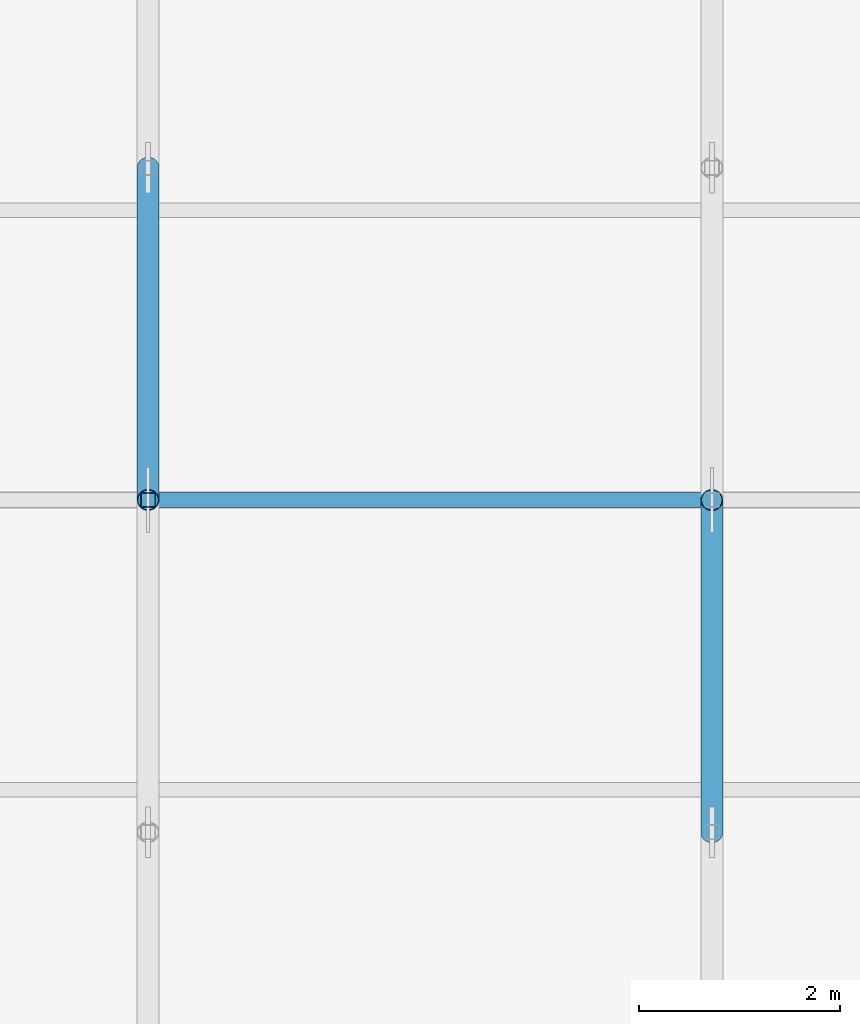
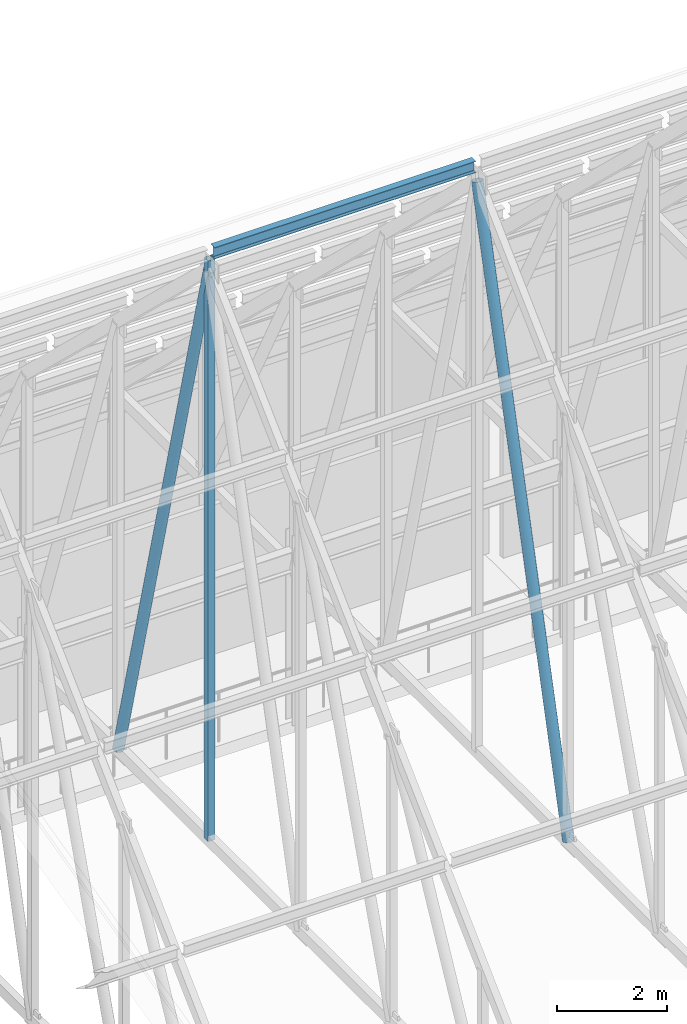
# One storey, part 34 of 144: 4 members.
"""IFC4 building model written with IfcOpenShell, lengths in metres."""

from ifc_helpers import new_model, si_unit, direction, frame, origin, origin_2d, place, context, subcontext, project, spatial, hollow_rectangle, hollow_circle, i_section, extrude, material, material_profile, profile_set, type_object, element, save


model = new_model("IFC4")

# Units and contexts
model_context = context("Model", 3, precision=1e-05, world=origin(), true_north=direction((0.0, 1.0)))
body_context = subcontext(model_context, "Body", "Model", "MODEL_VIEW")
ifc_project = project(units=[si_unit("LENGTHUNIT", "METRE"), si_unit("AREAUNIT", "SQUARE_METRE"), si_unit("VOLUMEUNIT", "CUBIC_METRE"), si_unit("PLANEANGLEUNIT", "RADIAN"), si_unit("MASSUNIT", "GRAM", prefix="KILO")], contexts=[model_context])

# Site, building, storey
site_placement = place(None, origin())
site = spatial("IfcSite", under=ifc_project, at=site_placement, CompositionType="ELEMENT")
building_placement = place(site_placement, origin())
building = spatial("IfcBuilding", under=site, at=building_placement, Name="Trelmorton Wharf Fire Station", CompositionType="ELEMENT")
storey_placement = place(building_placement, frame((0.0, 0.0, 5.39990234375)))
storey = spatial("IfcBuildingStorey", under=building, at=storey_placement, Name="L01", CompositionType="ELEMENT", Elevation=5.39990234375)

# Members
ifc_material_1 = material(Name="Steel Grade 300 (300 MPa)", Category="steel")
ifc_material_profile_1 = material_profile(ifc_material_1, i_section(OverallWidth=0.14599609375, OverallDepth=0.256103515625, WebThickness=0.00634765625, FlangeThickness=0.010986328125, FilletRadius=0.0087890625, at=origin_2d()), Name="250UB37.3")
ifc_profile_set_1 = profile_set([ifc_material_profile_1], Name="Steel Grade 300 (300 MPa)")
member_type_1 = type_object("IfcMemberType", Name="PR_250UB37", PredefinedType="PURLIN", material=ifc_profile_set_1)
member_1_placement = place(storey_placement, frame((17.672119140625, 21.0, 16.311767578125), z_axis=(1.0, 0.0, 0.0), x_axis=(0.0, 1.0, 0.0)))
element("IfcMember", 1, at=member_1_placement, inside=storey, type_object=member_type_1, Name="V1-PR-B04-S5", PredefinedType="PURLIN", context=body_context, shape_type="SweptSolid", body=[
    extrude(i_section(OverallWidth=0.14599609375, OverallDepth=0.256103515625, WebThickness=0.00634765625, FlangeThickness=0.010986328125, FilletRadius=0.0087890625, at=origin_2d()), origin(), (0.0, 0.0, 1.0), 5.455810546875),
])
ifc_material_2 = material(Name="Steel C350L0 (350 MPa)", Category="steel")
ifc_material_profile_2 = material_profile(ifc_material_2, hollow_circle(Radius=0.109619140625, WallThickness=0.00830078125, at=origin_2d()), Name="219.1x8.2CHS")
ifc_profile_set_2 = profile_set([ifc_material_profile_2], Name="Steel C350L0 (350 MPa)")
member_type_2 = type_object("IfcMemberType", Name="TR_DIAG_219CHS", PredefinedType="STRUT", material=ifc_profile_set_2)
for number, where, z_axis, x_axis, name in (
    (2, (17.60009765625, 24.300048828125, 3.351806640625), (0.0, -0.25336106238, 0.967371785856), (1.0, 0.0, 0.0), "V1-TR04-DG-N3"),
    (3, (23.199951171875, 17.699951171875, 3.351806640625), (0.0, 0.25336106238, 0.967371785856), (-1.0, 0.0, 0.0), "V1-TR05-DG-S3"),
):
    element("IfcMember", number, at=place(storey_placement, frame(where, z_axis=z_axis, x_axis=x_axis)), inside=storey, type_object=member_type_2, Name=name, PredefinedType="STRUT", context=body_context, shape_type="SweptSolid", body=[
        extrude(hollow_circle(Radius=0.109619140625, WallThickness=0.00830078125, at=origin_2d()), origin(), (0.0, 0.0, 1.0), 13.025146484375),
    ])
ifc_material_profile_3 = material_profile(ifc_material_2, hollow_rectangle(XDim=0.14990234375, YDim=0.14990234375, WallThickness=0.009033203125, at=origin_2d()), Name="150x150x9.0SHS")
ifc_profile_set_3 = profile_set([ifc_material_profile_3], Name="Steel C350L0 (350 MPa)")
member_type_3 = type_object("IfcMemberType", Name="TR_POST_150SHS", PredefinedType="POST", material=ifc_profile_set_3)
member_2_placement = place(storey_placement, frame((17.60009765625, 21.0, 3.351806640625), z_axis=(0.0, 0.0, 1.0), x_axis=(1.0, 0.0, 0.0)))
element("IfcMember", 4, at=member_2_placement, inside=storey, type_object=member_type_3, Name="V1-TR04-KP", PredefinedType="POST", context=body_context, shape_type="SweptSolid", body=[
    extrude(hollow_rectangle(XDim=0.14990234375, YDim=0.14990234375, WallThickness=0.009033203125, at=origin_2d()), origin(), (0.0, 0.0, 1.0), 12.8359375),
])

save(model, "model.ifc")
